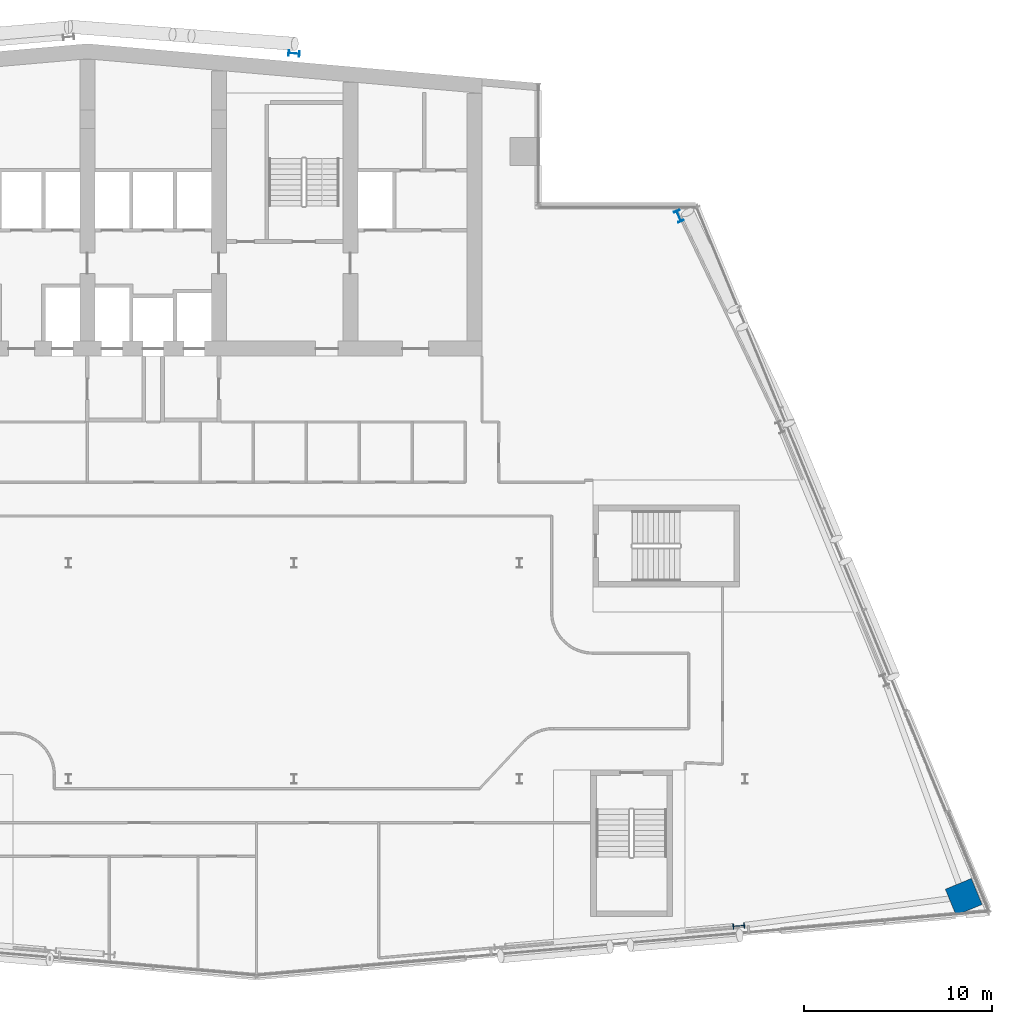
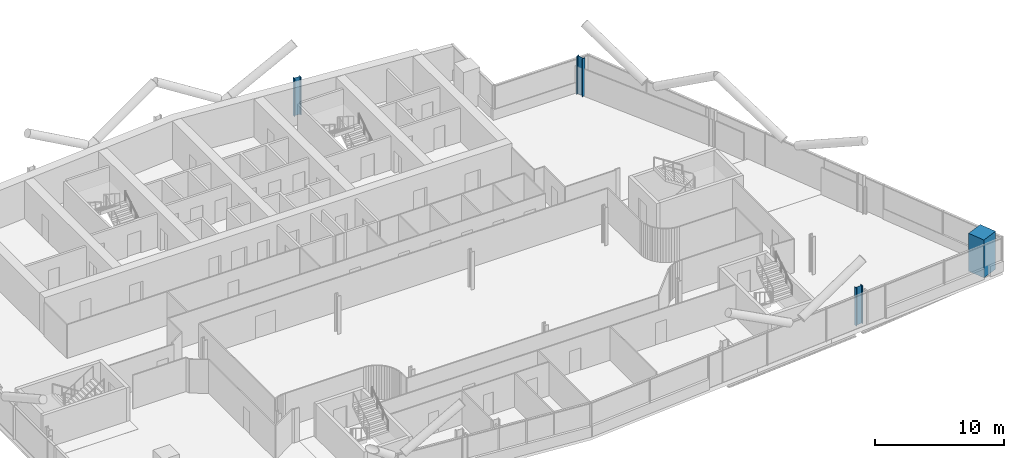
# One storey, part 4 of 27: 4 columns.
"""IFC4 building model written with IfcOpenShell, lengths in metres."""

from ifc_helpers import new_model, si_unit, direction, frame, origin, origin_2d, place, context, subcontext, project, spatial, rectangle, i_section, extrude, material, material_profile, profile_set, type_object, element, save


model = new_model("IFC4")

# Units and contexts
model_context = context("Model", 3, precision=1e-05, world=origin(), true_north=direction((0.0, 1.0)))
body_context = subcontext(model_context, "Body", "Model", "MODEL_VIEW")
ifc_project = project(units=[si_unit("LENGTHUNIT", "METRE"), si_unit("AREAUNIT", "SQUARE_METRE"), si_unit("VOLUMEUNIT", "CUBIC_METRE"), si_unit("PLANEANGLEUNIT", "RADIAN"), si_unit("MASSUNIT", "GRAM", prefix="KILO")], contexts=[model_context])

# Site, building, storey
site_placement = place(None, origin())
site = spatial("IfcSite", under=ifc_project, at=site_placement, CompositionType="ELEMENT")
building_placement = place(site_placement, origin())
building = spatial("IfcBuilding", under=site, at=building_placement, Name="Wharfspan Tower", CompositionType="ELEMENT")
storey_placement = place(building_placement, frame((0.0, 0.0, 159.100098)))
storey = spatial("IfcBuildingStorey", under=building, at=storey_placement, Name="L38", CompositionType="ELEMENT", Elevation=159.100098)

# Columns
ifc_material_1 = material(Name="Steel S355J2", Category="steel")
ifc_material_profile_1 = material_profile(ifc_material_1, i_section(OverallWidth=0.300049, OverallDepth=0.600098, WebThickness=0.015381, FlangeThickness=0.030029, FilletRadius=0.0271, at=origin_2d()))
ifc_profile_set_1 = profile_set([ifc_material_profile_1], Name="Steel S355J2")
column_type_1 = type_object("IfcColumnType", Name="Column HEB 600", PredefinedType="COLUMN", material=ifc_profile_set_1)
column_1_placement = place(storey_placement, frame((48.0, 50.112305, 0.0), z_axis=(0.0, 0.0, 1.0), x_axis=(0.087156, 0.996198, 0.0)))
element("IfcColumn", 1, at=column_1_placement, inside=storey, type_object=column_type_1, Name="Rear column R.3 L38", PredefinedType="COLUMN", context=body_context, shape_type="SweptSolid", body=[
    extrude(i_section(OverallWidth=0.300049, OverallDepth=0.600098, WebThickness=0.015381, FlangeThickness=0.030029, FilletRadius=0.0271, at=origin_2d()), origin(), (0.0, 0.0, 1.0), 3.599854),
])
ifc_material_profile_2 = material_profile(ifc_material_1, i_section(OverallWidth=0.304932, OverallDepth=0.620117, WebThickness=0.020996, FlangeThickness=0.040039, FilletRadius=0.0271, at=origin_2d()))
ifc_profile_set_2 = profile_set([ifc_material_profile_2], Name="Steel S355J2")
column_type_2 = type_object("IfcColumnType", Name="Column HEM 600", PredefinedType="COLUMN", material=ifc_profile_set_2)
for number, where, z_axis, x_axis, name in (
    (2, (71.661865, 3.684814, 0.0), (0.0, 0.0, 1.0), (0.087156, -0.996198, 0.0), "Perimeter column PS2.2 L38"),
    (3, (68.471924, 41.450439, 0.0), (0.0, 0.0, 1.0), (0.924325, 0.381602, 0.0), "Perimeter column PE.3 L38"),
):
    element("IfcColumn", number, at=place(storey_placement, frame(where, z_axis=z_axis, x_axis=x_axis)), inside=storey, type_object=column_type_2, Name=name, PredefinedType="COLUMN", context=body_context, shape_type="SweptSolid", body=[
        extrude(i_section(OverallWidth=0.304932, OverallDepth=0.620117, WebThickness=0.020996, FlangeThickness=0.040039, FilletRadius=0.0271, at=origin_2d()), origin(), (0.0, 0.0, 1.0), 3.599854),
    ])
ifc_material_2 = material(Name="Concrete C60/75", Category="concrete")
ifc_material_profile_3 = material_profile(ifc_material_2, rectangle(XDim=1.5, YDim=1.5, at=origin_2d()))
ifc_profile_set_3 = profile_set([ifc_material_profile_3], Name="Concrete C60/75")
column_type_3 = type_object("IfcColumnType", Name="Mega column 1500 C60/75", PredefinedType="COLUMN", material=ifc_profile_set_3)
column_2_placement = place(storey_placement, frame((83.632568, 5.230713, 0.0), z_axis=(0.0, 0.0, 1.0), x_axis=(-0.381602, 0.924325, 0.0)))
element("IfcColumn", 4, at=column_2_placement, inside=storey, type_object=column_type_3, Name="Mega column MC4 L38", PredefinedType="COLUMN", context=body_context, shape_type="SweptSolid", body=[
    extrude(rectangle(XDim=1.5, YDim=1.5, at=origin_2d()), origin(), (0.0, 0.0, 1.0), 3.599854),
])

save(model, "model.ifc")
